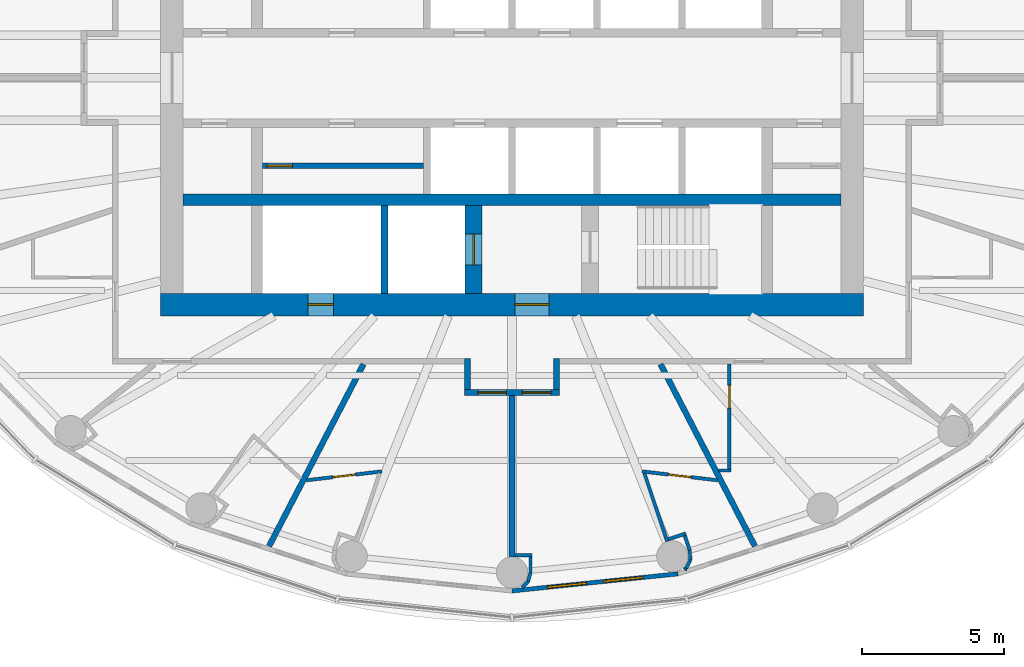
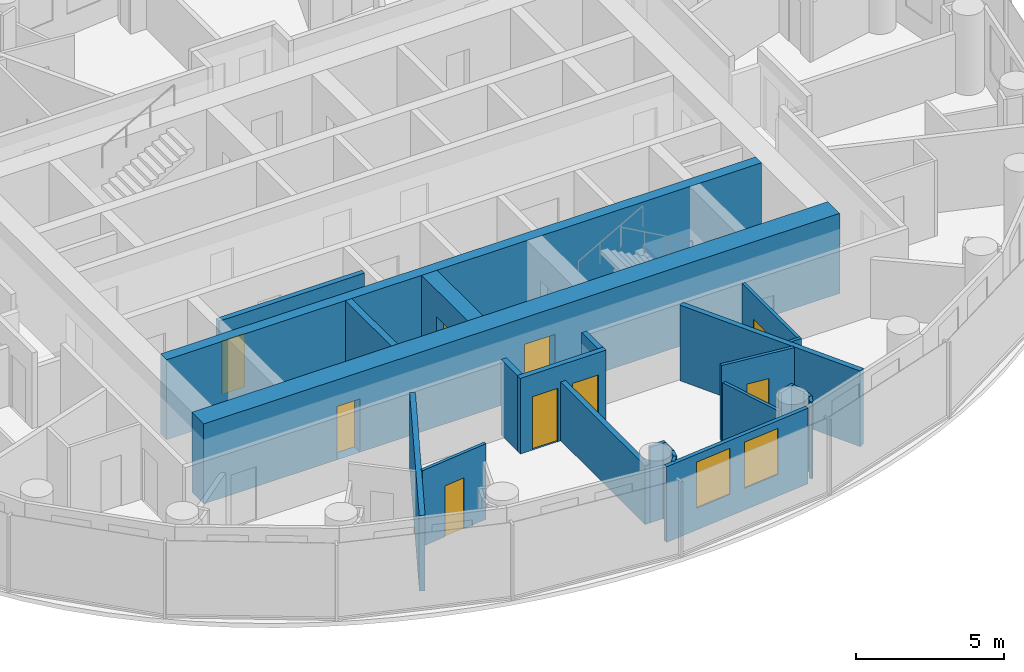
# One storey, part 7 of 16: 26 walls, 9 doors, 2 windows, 11 openings.
"""IFC4 building model written with IfcOpenShell, lengths in metres."""

from ifc_helpers import new_model, si_unit, direction, frame, frame_2d, origin, place, context, subcontext, project, spatial, rectangle, extrude, material, layer, layer_set, type_object, element, fill, save


model = new_model("IFC4")

# Units and contexts
model_context = context("Model", 3, precision=1e-05, world=origin(), true_north=direction((0.0, 1.0)))
body_context = subcontext(model_context, "Body", "Model", "MODEL_VIEW")
ifc_project = project(units=[si_unit("LENGTHUNIT", "METRE"), si_unit("AREAUNIT", "SQUARE_METRE"), si_unit("VOLUMEUNIT", "CUBIC_METRE"), si_unit("PLANEANGLEUNIT", "RADIAN"), si_unit("MASSUNIT", "GRAM", prefix="KILO")], contexts=[model_context])

# Site, building, storey
site_placement = place(None, origin())
site = spatial("IfcSite", under=ifc_project, at=site_placement, CompositionType="ELEMENT")
building_placement = place(site_placement, origin())
building = spatial("IfcBuilding", under=site, at=building_placement, Name="Hankou Lantern Tower", CompositionType="ELEMENT")
storey_placement = place(building_placement, frame((0.0, 0.0, 153.300048828125)))
storey = spatial("IfcBuildingStorey", under=building, at=storey_placement, Name="L40", CompositionType="ELEMENT", Elevation=153.300048828125)

# Wall, openings, doors
ifc_material_1 = material(Name="Concrete C60", Category="concrete")
ifc_layer_1 = layer(ifc_material_1, 0.800048828125)
ifc_layer_set_1 = layer_set([ifc_layer_1], Name="Concrete C60")
wall_type_1 = type_object("IfcWallType", Name="CW2 CORE WALL 800", PredefinedType="SHEAR", material=ifc_layer_set_1)
wall_1_placement = place(storey_placement, frame((12.39990234375, -8.0, 0.0), z_axis=(0.0, 0.0, 1.0), x_axis=(-1.0, 0.0, 0.0)))
wall_1 = element("IfcWall", 1, at=wall_1_placement, inside=storey, type_object=wall_type_1, Name="Core wall south L40", PredefinedType="SHEAR", context=body_context, shape_type="SweptSolid", body=[
    extrude(rectangle(XDim=24.7998046875, YDim=0.800048828125, at=frame_2d((12.39990234375, 0.0))), origin(), (0.0, 0.0, 1.0), 3.300048828125),
])
opening_1_placement = place(wall_1_placement, frame((11.10009765625, 0.0, 0.0)))
opening_1 = element("IfcOpeningElement", 2, at=opening_1_placement, cuts=wall_1, Name="Opening D5", PredefinedType="OPENING", context=body_context, shape_type="SweptSolid", body=[
    extrude(rectangle(XDim=1.199951171875, YDim=2.199951171875, at=frame_2d((0.60009765625, 1.10009765625))), frame((0.0, 0.409912109375, 0.0), z_axis=(0.0, -1.0, 0.0), x_axis=(1.0, 0.0, 0.0)), (0.0, 0.0, 1.0), 0.820068359375),
])
opening_2_placement = place(wall_1_placement, frame((18.699951171875, 0.0, 0.0)))
opening_2 = element("IfcOpeningElement", 3, at=opening_2_placement, cuts=wall_1, Name="Opening D7", PredefinedType="OPENING", context=body_context, shape_type="SweptSolid", body=[
    extrude(rectangle(XDim=0.89990234375, YDim=2.199951171875, at=frame_2d((0.449951171875, 1.10009765625))), frame((0.0, 0.409912109375, 0.0), z_axis=(0.0, -1.0, 0.0), x_axis=(1.0, 0.0, 0.0)), (0.0, 0.0, 1.0), 0.820068359375),
])
ifc_material_2 = material(Name="Steel door leaf", Category="steel")
door_type_1 = type_object("IfcDoorType", Name="D5 STAIR LOBBY DOOR 1200X2200", OperationType="SINGLE_SWING_LEFT", PredefinedType="DOOR", material=ifc_material_2)
door_1_placement = place(opening_1_placement, origin())
door_1 = element("IfcDoor", 4, at=door_1_placement, inside=storey, type_object=door_type_1, Name="Stair B lobby door", OperationType="SINGLE_SWING_LEFT", OverallHeight=2.199951171875, OverallWidth=1.199951171875, PredefinedType="DOOR", context=body_context, shape_type="SweptSolid", body=[
    extrude(rectangle(XDim=1.199951171875, YDim=2.199951171875, at=frame_2d((0.60009765625, 1.10009765625))), frame((0.0, 0.02490234375, 0.0), z_axis=(0.0, -1.0, 0.0), x_axis=(1.0, 0.0, 0.0)), (0.0, 0.0, 1.0), 0.050048828125),
])
fill(opening_1, door_1)
ifc_material_3 = material(Name="Steel door leaf", Category="steel")
door_type_2 = type_object("IfcDoorType", Name="D7 RISER DOOR 900X2200", OperationType="SINGLE_SWING_LEFT", PredefinedType="DOOR", material=ifc_material_3)
door_2_placement = place(opening_2_placement, origin())
door_2 = element("IfcDoor", 5, at=door_2_placement, inside=storey, type_object=door_type_2, Name="Riser S1 door", OperationType="SINGLE_SWING_RIGHT", OverallHeight=2.199951171875, OverallWidth=0.89990234375, PredefinedType="DOOR", context=body_context, shape_type="SweptSolid", body=[
    extrude(rectangle(XDim=0.89990234375, YDim=2.199951171875, at=frame_2d((0.449951171875, 1.10009765625))), frame((0.0, 0.02490234375, 0.0), z_axis=(0.0, -1.0, 0.0), x_axis=(1.0, 0.0, 0.0)), (0.0, 0.0, 1.0), 0.050048828125),
])
fill(opening_2, door_2)

# Wall
ifc_material_4 = material(Name="Concrete C60", Category="concrete")
ifc_layer_2 = layer(ifc_material_4, 0.39990234375)
ifc_layer_set_2 = layer_set([ifc_layer_2], Name="Concrete C60")
wall_type_2 = type_object("IfcWallType", Name="CW4 CORE CROSS WALL 400", PredefinedType="SHEAR", material=ifc_layer_set_2)
wall_2_placement = place(storey_placement, frame((-11.60009765625, -4.300048828125, 0.0), z_axis=(0.0, 0.0, 1.0), x_axis=(1.0, 0.0, 0.0)))
element("IfcWall", 6, at=wall_2_placement, inside=storey, type_object=wall_type_2, Name="Core band wall south L40", PredefinedType="SHEAR", context=body_context, shape_type="SweptSolid", body=[
    extrude(rectangle(XDim=23.2001953125, YDim=0.39990234375, at=frame_2d((11.60009765625, 0.0))), origin(), (0.0, 0.0, 1.0), 3.300048828125),
])

# Wall, opening, door
ifc_material_5 = material(Name="Concrete C60", Category="concrete")
ifc_layer_3 = layer(ifc_material_5, 0.60009765625)
ifc_layer_set_3 = layer_set([ifc_layer_3], Name="Concrete C60")
wall_type_3 = type_object("IfcWallType", Name="CW6 STAIR AND SHAFT WALL 600", PredefinedType="SHEAR", material=ifc_layer_set_3)
wall_3_placement = place(storey_placement, frame((-1.35009765625, -7.60009765625, 0.0), z_axis=(0.0, 0.0, 1.0), x_axis=(0.0, 1.0, 0.0)))
wall_3 = element("IfcWall", 7, at=wall_3_placement, inside=storey, type_object=wall_type_3, Name="Firefighting lift shaft wall L40", PredefinedType="SHEAR", context=body_context, shape_type="SweptSolid", body=[
    extrude(rectangle(XDim=3.10009765625, YDim=0.60009765625, at=frame_2d((1.550048828125, 0.0))), origin(), (0.0, 0.0, 1.0), 3.300048828125),
])
opening_3_placement = place(wall_3_placement, frame((1.0, 0.0, 0.0)))
opening_3 = element("IfcOpeningElement", 8, at=opening_3_placement, cuts=wall_3, Name="Opening LD2", PredefinedType="OPENING", context=body_context, shape_type="SweptSolid", body=[
    extrude(rectangle(XDim=1.10009765625, YDim=2.199951171875, at=frame_2d((0.550048828125, 1.10009765625))), frame((0.0, 0.31005859375, 0.0), z_axis=(0.0, -1.0, 0.0), x_axis=(1.0, 0.0, 0.0)), (0.0, 0.0, 1.0), 0.6201171875),
])
ifc_material_6 = material(Name="Steel door leaf", Category="steel")
door_type_3 = type_object("IfcDoorType", Name="LD2 FIREFIGHTING LIFT LANDING DOOR 1100X2200", OperationType="DOUBLE_DOOR_SLIDING", PredefinedType="DOOR", material=ifc_material_6)
door_3_placement = place(opening_3_placement, origin())
door_3 = element("IfcDoor", 9, at=door_3_placement, inside=storey, type_object=door_type_3, Name="Firefighting lift FL2 landing door", OperationType="DOUBLE_DOOR_SLIDING", OverallHeight=2.199951171875, OverallWidth=1.10009765625, PredefinedType="DOOR", context=body_context, shape_type="SweptSolid", body=[
    extrude(rectangle(XDim=1.10009765625, YDim=2.199951171875, at=frame_2d((0.550048828125, 1.10009765625))), frame((0.0, 0.02490234375, 0.0), z_axis=(0.0, -1.0, 0.0), x_axis=(1.0, 0.0, 0.0)), (0.0, 0.0, 1.0), 0.050048828125),
])
fill(opening_3, door_3)

# Wall, openings, windows
ifc_material_7 = material(Name="Aluminium spandrel panel on steel studs", Category="steel")
ifc_layer_4 = layer(ifc_material_7, 0.14990234375)
ifc_layer_set_4 = layer_set([ifc_layer_4], Name="Aluminium spandrel panel on steel studs")
wall_type_4 = type_object("IfcWallType", Name="EW1 INNER SKIN WALL 150", PredefinedType="ELEMENTEDWALL", material=ifc_layer_set_4)
wall_4_placement = place(storey_placement, frame((0.0, -18.10009765625, 0.0), z_axis=(0.0, 0.0, 1.0), x_axis=(0.994751738032, 0.102318032045, 0.0)))
wall_4 = element("IfcWall", 10, at=wall_4_placement, inside=storey, type_object=wall_type_4, Name="Inner skin R19-R20 L40", PredefinedType="ELEMENTEDWALL", context=body_context, shape_type="SweptSolid", body=[
    extrude(rectangle(XDim=5.891357421875, YDim=0.14990234375, at=frame_2d((2.94580078125, 0.0))), origin(), (0.0, 0.0, 1.0), 3.119873046875),
])
opening_4_placement = place(wall_4_placement, frame((1.24560546875, 0.0, 0.89990234375)))
opening_4 = element("IfcOpeningElement", 11, at=opening_4_placement, cuts=wall_4, Name="Opening W3", PredefinedType="OPENING", context=body_context, shape_type="SweptSolid", body=[
    extrude(rectangle(XDim=1.39990234375, YDim=1.89990234375, at=frame_2d((0.699951171875, 0.949951171875))), frame((0.0, 0.0849609375, 0.0), z_axis=(0.0, -1.0, 0.0), x_axis=(1.0, 0.0, 0.0)), (0.0, 0.0, 1.0), 0.169921875),
])
opening_5_placement = place(wall_4_placement, frame((3.24560546875, 0.0, 0.89990234375)))
opening_5 = element("IfcOpeningElement", 12, at=opening_5_placement, cuts=wall_4, Name="Opening W3", PredefinedType="OPENING", context=body_context, shape_type="SweptSolid", body=[
    extrude(rectangle(XDim=1.39990234375, YDim=1.89990234375, at=frame_2d((0.699951171875, 0.949951171875))), frame((0.0, 0.0849609375, 0.0), z_axis=(0.0, -1.0, 0.0), x_axis=(1.0, 0.0, 0.0)), (0.0, 0.0, 1.0), 0.169921875),
])
ifc_material_8 = material(Name="Aluminium framed double glazed window", Category="aluminium")
window_type = type_object("IfcWindowType", Name="W3 GUEST ROOM WINDOW 1400X1900", PartitioningType="DOUBLE_PANEL_VERTICAL", PredefinedType="WINDOW", material=ifc_material_8)
window_1_placement = place(opening_4_placement, origin())
window_1 = element("IfcWindow", 13, at=window_1_placement, inside=storey, type_object=window_type, Name="Window R19.1 L40", OverallHeight=1.89990234375, OverallWidth=1.39990234375, PartitioningType="SINGLE_PANEL", PredefinedType="WINDOW", context=body_context, shape_type="SweptSolid", body=[
    extrude(rectangle(XDim=1.39990234375, YDim=1.89990234375, at=frame_2d((0.699951171875, 0.949951171875))), frame((0.0, 0.030029296875, 0.0), z_axis=(0.0, -1.0, 0.0), x_axis=(1.0, 0.0, 0.0)), (0.0, 0.0, 1.0), 0.06005859375),
])
fill(opening_4, window_1)
window_2_placement = place(opening_5_placement, origin())
window_2 = element("IfcWindow", 14, at=window_2_placement, inside=storey, type_object=window_type, Name="Window R19.2 L40", OverallHeight=1.89990234375, OverallWidth=1.39990234375, PartitioningType="SINGLE_PANEL", PredefinedType="WINDOW", context=body_context, shape_type="SweptSolid", body=[
    extrude(rectangle(XDim=1.39990234375, YDim=1.89990234375, at=frame_2d((0.699951171875, 0.949951171875))), frame((0.0, 0.030029296875, 0.0), z_axis=(0.0, -1.0, 0.0), x_axis=(1.0, 0.0, 0.0)), (0.0, 0.0, 1.0), 0.06005859375),
])
fill(opening_5, window_2)

# Walls
ifc_material_9 = material(Name="Masonry lightweight concrete block", Category="masonry")
ifc_layer_5 = layer(ifc_material_9, 0.199951171875)
ifc_layer_set_5 = layer_set([ifc_layer_5], Name="Masonry lightweight concrete block")
wall_type_5 = type_object("IfcWallType", Name="IW1 GUEST ROOM PARTY WALL 200", PredefinedType="PARTITIONING", material=ifc_layer_set_5)
wall_5_placement = place(storey_placement, frame((-5.239990234375, -10.10009765625, 0.0), z_axis=(0.0, 0.0, 1.0), x_axis=(-0.460532965373, -0.887642601391, 0.0)))
element("IfcWall", 15, at=wall_5_placement, inside=storey, type_object=wall_type_5, Name="Party wall R17-R18", PredefinedType="PARTITIONING", context=body_context, shape_type="SweptSolid", body=[
    extrude(rectangle(XDim=7.2314453125, YDim=0.199951171875, at=frame_2d((3.61572265625, 0.0))), origin(), (0.0, 0.0, 1.0), 3.119873046875),
])
wall_6_placement = place(storey_placement, frame((0.0, -11.199951171875, 0.0), z_axis=(0.0, 0.0, 1.0), x_axis=(0.0, -1.0, 0.0)))
element("IfcWall", 16, at=wall_6_placement, inside=storey, type_object=wall_type_5, Name="Party wall R19", PredefinedType="PARTITIONING", context=body_context, shape_type="SweptSolid", body=[
    extrude(rectangle(XDim=5.699951171875, YDim=0.199951171875, at=frame_2d((2.85009765625, 0.0))), origin(), (0.0, 0.0, 1.0), 2.419921875),
])
wall_7_placement = place(storey_placement, frame((5.239990234375, -10.10009765625, 0.0), z_axis=(0.0, 0.0, 1.0), x_axis=(0.460532965373, -0.887642601391, 0.0)))
element("IfcWall", 17, at=wall_7_placement, inside=storey, type_object=wall_type_5, Name="Party wall R20-R21", PredefinedType="PARTITIONING", context=body_context, shape_type="SweptSolid", body=[
    extrude(rectangle(XDim=7.2314453125, YDim=0.199951171875, at=frame_2d((3.61572265625, 0.0))), origin(), (0.0, 0.0, 1.0), 3.119873046875),
])

# Wall, openings, doors
ifc_material_10 = material(Name="Masonry lightweight concrete block", Category="masonry")
ifc_layer_6 = layer(ifc_material_10, 0.199951171875)
ifc_layer_set_6 = layer_set([ifc_layer_6], Name="Masonry lightweight concrete block")
wall_type_6 = type_object("IfcWallType", Name="IW2 CORRIDOR WALL 200", PredefinedType="PARTITIONING", material=ifc_layer_set_6)
wall_8_placement = place(storey_placement, frame((1.669921875, -11.10009765625, 0.0), z_axis=(0.0, 0.0, 1.0), x_axis=(-1.0, 0.0, 0.0)))
wall_8 = element("IfcWall", 18, at=wall_8_placement, inside=storey, type_object=wall_type_6, Name="Corridor alcove wall 4011-4012 back", PredefinedType="PARTITIONING", context=body_context, shape_type="SweptSolid", body=[
    extrude(rectangle(XDim=3.33984375, YDim=0.199951171875, at=frame_2d((1.669921875, 0.0))), origin(), (0.0, 0.0, 1.0), 3.119873046875),
])
opening_6_placement = place(wall_8_placement, frame((1.8701171875, 0.0, 0.0)))
opening_6 = element("IfcOpeningElement", 19, at=opening_6_placement, cuts=wall_8, Name="Opening D1", PredefinedType="OPENING", context=body_context, shape_type="SweptSolid", body=[
    extrude(rectangle(XDim=1.0, YDim=2.199951171875, at=frame_2d((0.5, 1.10009765625))), frame((0.0, 0.10986328125, 0.0), z_axis=(0.0, -1.0, 0.0), x_axis=(1.0, 0.0, 0.0)), (0.0, 0.0, 1.0), 0.219970703125),
])
opening_7_placement = place(wall_8_placement, frame((0.300048828125, 0.0, 0.0)))
opening_7 = element("IfcOpeningElement", 20, at=opening_7_placement, cuts=wall_8, Name="Opening D1", PredefinedType="OPENING", context=body_context, shape_type="SweptSolid", body=[
    extrude(rectangle(XDim=1.0, YDim=2.199951171875, at=frame_2d((0.5, 1.10009765625))), frame((0.0, 0.10986328125, 0.0), z_axis=(0.0, -1.0, 0.0), x_axis=(1.0, 0.0, 0.0)), (0.0, 0.0, 1.0), 0.219970703125),
])
ifc_material_11 = material(Name="Steel door leaf", Category="steel")
door_type_4 = type_object("IfcDoorType", Name="D1 GUEST ROOM DOOR 1000X2200", OperationType="SINGLE_SWING_LEFT", PredefinedType="DOOR", material=ifc_material_11)
door_4_placement = place(opening_6_placement, origin())
door_4 = element("IfcDoor", 21, at=door_4_placement, inside=storey, type_object=door_type_4, Name="Guest room door 4011", OperationType="SINGLE_SWING_LEFT", OverallHeight=2.199951171875, OverallWidth=1.0, PredefinedType="DOOR", context=body_context, shape_type="SweptSolid", body=[
    extrude(rectangle(XDim=1.0, YDim=2.199951171875, at=frame_2d((0.5, 1.10009765625))), frame((0.0, 0.02490234375, 0.0), z_axis=(0.0, -1.0, 0.0), x_axis=(1.0, 0.0, 0.0)), (0.0, 0.0, 1.0), 0.050048828125),
])
fill(opening_6, door_4)
door_5_placement = place(opening_7_placement, origin())
door_5 = element("IfcDoor", 22, at=door_5_placement, inside=storey, type_object=door_type_4, Name="Guest room door 4012", OperationType="SINGLE_SWING_RIGHT", OverallHeight=2.199951171875, OverallWidth=1.0, PredefinedType="DOOR", context=body_context, shape_type="SweptSolid", body=[
    extrude(rectangle(XDim=1.0, YDim=2.199951171875, at=frame_2d((0.5, 1.10009765625))), frame((0.0, 0.02490234375, 0.0), z_axis=(0.0, -1.0, 0.0), x_axis=(1.0, 0.0, 0.0)), (0.0, 0.0, 1.0), 0.050048828125),
])
fill(opening_7, door_5)

# Walls
for number, where, z_axis, x_axis, name in (
    (23, (1.570068359375, -9.89990234375, 0.0), (0.0, 0.0, 1.0), (0.0, -1.0, 0.0), "Corridor alcove wall 4011-4012 left"),
    (24, (-1.570068359375, -9.89990234375, 0.0), (0.0, 0.0, 1.0), (0.0, -1.0, 0.0), "Corridor alcove wall 4011-4012 right"),
):
    element("IfcWall", number, at=place(storey_placement, frame(where, z_axis=z_axis, x_axis=x_axis)), inside=storey, type_object=wall_type_6, Name=name, PredefinedType="PARTITIONING", context=body_context, shape_type="SweptSolid", body=[
        extrude(rectangle(XDim=1.10009765625, YDim=0.199951171875, at=frame_2d((0.550048828125, 0.0))), origin(), (0.0, 0.0, 1.0), 3.119873046875),
    ])

# Wall, opening, door
ifc_material_12 = material(Name="Masonry lightweight concrete block", Category="masonry")
ifc_layer_7 = layer(ifc_material_12, 0.1201171875)
ifc_layer_set_7 = layer_set([ifc_layer_7], Name="Masonry lightweight concrete block")
wall_type_7 = type_object("IfcWallType", Name="IW3 BATHROOM WALL 120", PredefinedType="PARTITIONING", material=ifc_layer_set_7)
wall_9_placement = place(storey_placement, frame((-7.2529296875, -14.197021484375, 0.0), z_axis=(0.0, 0.0, 1.0), x_axis=(0.993128188393, 0.117031625725, 0.0)))
wall_9 = element("IfcWall", 25, at=wall_9_placement, inside=storey, type_object=wall_type_7, Name="Box wall 4011 1", PredefinedType="PARTITIONING", context=body_context, shape_type="SweptSolid", body=[
    extrude(rectangle(XDim=2.678466796875, YDim=0.1201171875, at=frame_2d((1.33935546875, 0.0))), origin(), (0.0, 0.0, 1.0), 3.119873046875),
])
opening_8_placement = place(wall_9_placement, frame((0.939208984375, 0.0, 0.0)))
opening_8 = element("IfcOpeningElement", 26, at=opening_8_placement, cuts=wall_9, Name="Opening D3", PredefinedType="OPENING", context=body_context, shape_type="SweptSolid", body=[
    extrude(rectangle(XDim=0.800048828125, YDim=2.10009765625, at=frame_2d((0.39990234375, 1.050048828125))), frame((0.0, 0.070068359375, 0.0), z_axis=(0.0, -1.0, 0.0), x_axis=(1.0, 0.0, 0.0)), (0.0, 0.0, 1.0), 0.14013671875),
])
ifc_material_13 = material(Name="Timber door leaf", Category="wood")
door_type_5 = type_object("IfcDoorType", Name="D3 BATHROOM DOOR 800X2100", OperationType="SINGLE_SWING_LEFT", PredefinedType="DOOR", material=ifc_material_13)
door_6_placement = place(opening_8_placement, origin())
door_6 = element("IfcDoor", 27, at=door_6_placement, inside=storey, type_object=door_type_5, Name="En-suite bathroom 4011 door", OperationType="SINGLE_SWING_LEFT", OverallHeight=2.10009765625, OverallWidth=0.800048828125, PredefinedType="DOOR", context=body_context, shape_type="SweptSolid", body=[
    extrude(rectangle(XDim=0.800048828125, YDim=2.10009765625, at=frame_2d((0.39990234375, 1.050048828125))), frame((0.0, 0.02490234375, 0.0), z_axis=(0.0, -1.0, 0.0), x_axis=(1.0, 0.0, 0.0)), (0.0, 0.0, 1.0), 0.050048828125),
])
fill(opening_8, door_6)

wall_10_placement = place(storey_placement, frame((7.2529296875, -14.197021484375, 0.0), z_axis=(0.0, 0.0, 1.0), x_axis=(-0.993128188393, 0.117031625725, 0.0)))
wall_10 = element("IfcWall", 28, at=wall_10_placement, inside=storey, type_object=wall_type_7, Name="Box wall 4012 1", PredefinedType="PARTITIONING", context=body_context, shape_type="SweptSolid", body=[
    extrude(rectangle(XDim=2.678466796875, YDim=0.1201171875, at=frame_2d((1.33935546875, 0.0))), origin(), (0.0, 0.0, 1.0), 3.119873046875),
])
opening_9_placement = place(wall_10_placement, frame((0.939208984375, 0.0, 0.0)))
opening_9 = element("IfcOpeningElement", 29, at=opening_9_placement, cuts=wall_10, Name="Opening D3", PredefinedType="OPENING", context=body_context, shape_type="SweptSolid", body=[
    extrude(rectangle(XDim=0.800048828125, YDim=2.10009765625, at=frame_2d((0.39990234375, 1.050048828125))), frame((0.0, 0.070068359375, 0.0), z_axis=(0.0, -1.0, 0.0), x_axis=(1.0, 0.0, 0.0)), (0.0, 0.0, 1.0), 0.14013671875),
])
door_7_placement = place(opening_9_placement, origin())
door_7 = element("IfcDoor", 30, at=door_7_placement, inside=storey, type_object=door_type_5, Name="En-suite bathroom 4012 door", OperationType="SINGLE_SWING_RIGHT", OverallHeight=2.10009765625, OverallWidth=0.800048828125, PredefinedType="DOOR", context=body_context, shape_type="SweptSolid", body=[
    extrude(rectangle(XDim=0.800048828125, YDim=2.10009765625, at=frame_2d((0.39990234375, 1.050048828125))), frame((0.0, 0.02490234375, 0.0), z_axis=(0.0, -1.0, 0.0), x_axis=(1.0, 0.0, 0.0)), (0.0, 0.0, 1.0), 0.050048828125),
])
fill(opening_9, door_7)

# Walls
wall_11_placement = place(storey_placement, frame((4.67138671875, -13.947509765625, 0.0), z_axis=(0.0, 0.0, 1.0), x_axis=(0.317669167093, -0.948201613729, 0.0)))
element("IfcWall", 31, at=wall_11_placement, inside=storey, type_object=wall_type_7, Name="Box wall 4012 2", PredefinedType="PARTITIONING", context=body_context, shape_type="SweptSolid", body=[
    extrude(rectangle(XDim=2.5400390625, YDim=0.1201171875, at=frame_2d((1.27001953125, 0.0))), origin(), (0.0, 0.0, 1.0), 2.419921875),
])
wall_12_placement = place(storey_placement, frame((5.51611328125, -16.280029296875, 0.0), z_axis=(0.0, 0.0, 1.0), x_axis=(0.948157944392, 0.317799484717, 0.0)))
element("IfcWall", 32, at=wall_12_placement, inside=storey, type_object=wall_type_7, Name="Column casing 4012 return", PredefinedType="PARTITIONING", context=body_context, shape_type="SweptSolid", body=[
    extrude(rectangle(XDim=0.652099609375, YDim=0.1201171875, at=frame_2d((0.326171875, 0.0))), origin(), (0.0, 0.0, 1.0), 3.119873046875),
])
wall_13_placement = place(storey_placement, frame((6.0966796875, -16.148681640625, 0.0), z_axis=(0.0, 0.0, 1.0), x_axis=(0.317292604854, -0.948327687514, 0.0)))
element("IfcWall", 33, at=wall_13_placement, inside=storey, type_object=wall_type_7, Name="Column casing 4012", PredefinedType="PARTITIONING", context=body_context, shape_type="SweptSolid", body=[
    extrude(rectangle(XDim=0.550048828125, YDim=0.1201171875, at=frame_2d((0.27490234375, 0.0))), origin(), (0.0, 0.0, 1.0), 3.119873046875),
])
for number, where, z_axis, x_axis, name in (
    (34, (6.271240234375, -16.67041015625, 0.0), (0.0, 0.0, 1.0), (0.061477694849, -0.998108457552, 0.0), "Column casing 4012"),
    (35, (6.2919921875, -17.00732421875, 0.0), (0.0, 0.0, 1.0), (-0.445477128334, -0.895293319606, 0.0), "Column casing 4012"),
):
    element("IfcWall", number, at=place(storey_placement, frame(where, z_axis=z_axis, x_axis=x_axis)), inside=storey, type_object=wall_type_7, Name=name, PredefinedType="PARTITIONING", context=body_context, shape_type="SweptSolid", body=[
        extrude(rectangle(XDim=0.337646484375, YDim=0.1201171875, at=frame_2d((0.1689453125, 0.0))), origin(), (0.0, 0.0, 1.0), 3.119873046875),
    ])
wall_14_placement = place(storey_placement, frame((6.1416015625, -17.3095703125, 0.0), z_axis=(0.0, 0.0, 1.0), x_axis=(-0.835039693181, -0.550189704386, 0.0)))
element("IfcWall", 36, at=wall_14_placement, inside=storey, type_object=wall_type_7, Name="Column casing 4012", PredefinedType="PARTITIONING", context=body_context, shape_type="SweptSolid", body=[
    extrude(rectangle(XDim=0.0625, YDim=0.1201171875, at=frame_2d((0.03125, 0.0))), origin(), (0.0, 0.0, 1.0), 3.119873046875),
])
wall_15_placement = place(storey_placement, frame((7.28564453125, -13.85009765625, 0.0), z_axis=(0.0, 0.0, 1.0), x_axis=(1.0, 0.0, 0.0)))
element("IfcWall", 37, at=wall_15_placement, inside=storey, type_object=wall_type_7, Name="Box wall 4013 1", PredefinedType="PARTITIONING", context=body_context, shape_type="SweptSolid", body=[
    extrude(rectangle(XDim=0.4443359375, YDim=0.1201171875, at=frame_2d((0.22216796875, 0.0))), origin(), (0.0, 0.0, 1.0), 3.119873046875),
])

# Wall, opening, door
wall_16_placement = place(storey_placement, frame((7.670166015625, -10.10009765625, 0.0), z_axis=(0.0, 0.0, 1.0), x_axis=(0.0, -1.0, 0.0)))
wall_16 = element("IfcWall", 38, at=wall_16_placement, inside=storey, type_object=wall_type_7, Name="Box wall 4013 1", PredefinedType="PARTITIONING", context=body_context, shape_type="SweptSolid", body=[
    extrude(rectangle(XDim=3.68994140625, YDim=0.1201171875, at=frame_2d((1.844970703125, 0.0))), origin(), (0.0, 0.0, 1.0), 3.119873046875),
])
opening_10_placement = place(wall_16_placement, frame((0.75, 0.0, 0.0)))
opening_10 = element("IfcOpeningElement", 39, at=opening_10_placement, cuts=wall_16, Name="Opening D3", PredefinedType="OPENING", context=body_context, shape_type="SweptSolid", body=[
    extrude(rectangle(XDim=0.800048828125, YDim=2.10009765625, at=frame_2d((0.39990234375, 1.050048828125))), frame((0.0, 0.070068359375, 0.0), z_axis=(0.0, -1.0, 0.0), x_axis=(1.0, 0.0, 0.0)), (0.0, 0.0, 1.0), 0.14013671875),
])
door_8_placement = place(opening_10_placement, origin())
door_8 = element("IfcDoor", 40, at=door_8_placement, inside=storey, type_object=door_type_5, Name="En-suite bathroom 4013 door", OperationType="SINGLE_SWING_LEFT", OverallHeight=2.10009765625, OverallWidth=0.800048828125, PredefinedType="DOOR", context=body_context, shape_type="SweptSolid", body=[
    extrude(rectangle(XDim=0.800048828125, YDim=2.10009765625, at=frame_2d((0.39990234375, 1.050048828125))), frame((0.0, 0.02490234375, 0.0), z_axis=(0.0, -1.0, 0.0), x_axis=(1.0, 0.0, 0.0)), (0.0, 0.0, 1.0), 0.050048828125),
])
fill(opening_10, door_8)

# Walls
ifc_material_14 = material(Name="Masonry lightweight concrete block", Category="masonry")
ifc_layer_8 = layer(ifc_material_14, 0.1201171875)
ifc_layer_set_8 = layer_set([ifc_layer_8], Name="Masonry lightweight concrete block")
wall_type_8 = type_object("IfcWallType", Name="IW4 PARTITION 120", PredefinedType="PARTITIONING", material=ifc_layer_set_8)
wall_17_placement = place(storey_placement, frame((0.10009765625, -16.840087890625, 0.0), z_axis=(0.0, 0.0, 1.0), x_axis=(1.0, 0.0, 0.0)))
element("IfcWall", 41, at=wall_17_placement, inside=storey, type_object=wall_type_8, Name="Column casing R19 return", PredefinedType="PARTITIONING", context=body_context, shape_type="SweptSolid", body=[
    extrude(rectangle(XDim=0.612060546875, YDim=0.1201171875, at=frame_2d((0.30615234375, 0.0))), origin(), (0.0, 0.0, 1.0), 3.119873046875),
])
wall_18_placement = place(storey_placement, frame((0.65234375, -16.89990234375, 0.0), z_axis=(0.0, 0.0, 1.0), x_axis=(0.0, -1.0, 0.0)))
element("IfcWall", 42, at=wall_18_placement, inside=storey, type_object=wall_type_8, Name="Column casing R19", PredefinedType="PARTITIONING", context=body_context, shape_type="SweptSolid", body=[
    extrude(rectangle(XDim=0.550048828125, YDim=0.1201171875, at=frame_2d((0.27490234375, 0.0))), origin(), (0.0, 0.0, 1.0), 3.119873046875),
])
wall_19_placement = place(storey_placement, frame((0.65234375, -17.449951171875, 0.0), z_axis=(0.0, 0.0, 1.0), x_axis=(-0.258832454679, -0.965922233104, 0.0)))
element("IfcWall", 43, at=wall_19_placement, inside=storey, type_object=wall_type_8, Name="Column casing R19", PredefinedType="PARTITIONING", context=body_context, shape_type="SweptSolid", body=[
    extrude(rectangle(XDim=0.337646484375, YDim=0.1201171875, at=frame_2d((0.1689453125, 0.0))), origin(), (0.0, 0.0, 1.0), 3.119873046875),
])
wall_20_placement = place(storey_placement, frame((0.56494140625, -17.776123046875, 0.0), z_axis=(0.0, 0.0, 1.0), x_axis=(-0.707106781187, -0.707106781187, 0.0)))
element("IfcWall", 44, at=wall_20_placement, inside=storey, type_object=wall_type_8, Name="Column casing R19", PredefinedType="PARTITIONING", context=body_context, shape_type="SweptSolid", body=[
    extrude(rectangle(XDim=0.30078125, YDim=0.1201171875, at=frame_2d((0.150390625, 0.0))), origin(), (0.0, 0.0, 1.0), 3.119873046875),
])

# Wall, opening, door
ifc_material_15 = material(Name="Masonry lightweight concrete block", Category="masonry")
ifc_layer_9 = layer(ifc_material_15, 0.199951171875)
ifc_layer_set_9 = layer_set([ifc_layer_9], Name="Masonry lightweight concrete block")
wall_type_9 = type_object("IfcWallType", Name="IW8 PARTITION 200", PredefinedType="PARTITIONING", material=ifc_layer_set_9)
wall_21_placement = place(storey_placement, frame((-8.800048828125, -3.10009765625, 0.0), z_axis=(0.0, 0.0, 1.0), x_axis=(1.0, 0.0, 0.0)))
wall_21 = element("IfcWall", 45, at=wall_21_placement, inside=storey, type_object=wall_type_9, Name="Partition engineering store", PredefinedType="PARTITIONING", context=body_context, shape_type="SweptSolid", body=[
    extrude(rectangle(XDim=5.675048828125, YDim=0.199951171875, at=frame_2d((2.83740234375, 0.0))), origin(), (0.0, 0.0, 1.0), 3.119873046875),
])
opening_11_placement = place(wall_21_placement, frame((0.14990234375, 0.0, 0.0)))
opening_11 = element("IfcOpeningElement", 46, at=opening_11_placement, cuts=wall_21, Name="Opening D12", PredefinedType="OPENING", context=body_context, shape_type="SweptSolid", body=[
    extrude(rectangle(XDim=0.89990234375, YDim=2.199951171875, at=frame_2d((0.449951171875, 1.10009765625))), frame((0.0, 0.10986328125, 0.0), z_axis=(0.0, -1.0, 0.0), x_axis=(1.0, 0.0, 0.0)), (0.0, 0.0, 1.0), 0.219970703125),
])
ifc_material_16 = material(Name="Steel door leaf", Category="steel")
door_type_6 = type_object("IfcDoorType", Name="D12 STORE DOOR 900X2200", OperationType="SINGLE_SWING_LEFT", PredefinedType="DOOR", material=ifc_material_16)
door_9_placement = place(opening_11_placement, origin())
door_9 = element("IfcDoor", 47, at=door_9_placement, inside=storey, type_object=door_type_6, Name="Electrical cupboard door", OperationType="SINGLE_SWING_LEFT", OverallHeight=2.199951171875, OverallWidth=0.89990234375, PredefinedType="DOOR", context=body_context, shape_type="SweptSolid", body=[
    extrude(rectangle(XDim=0.89990234375, YDim=2.199951171875, at=frame_2d((0.449951171875, 1.10009765625))), frame((0.0, 0.02490234375, 0.0), z_axis=(0.0, -1.0, 0.0), x_axis=(1.0, 0.0, 0.0)), (0.0, 0.0, 1.0), 0.050048828125),
])
fill(opening_11, door_9)

# Wall
ifc_material_17 = material(Name="Masonry autoclaved aerated concrete block", Category="masonry")
ifc_layer_10 = layer(ifc_material_17, 0.25)
ifc_layer_set_10 = layer_set([ifc_layer_10], Name="Masonry autoclaved aerated concrete block")
wall_type_10 = type_object("IfcWallType", Name="SW1 SHAFT BLOCK WALL 250", PredefinedType="PARTITIONING", material=ifc_layer_set_10)
wall_22_placement = place(storey_placement, frame((-4.5, -7.60009765625, 0.0), z_axis=(0.0, 0.0, 1.0), x_axis=(0.0, 1.0, 0.0)))
element("IfcWall", 48, at=wall_22_placement, inside=storey, type_object=wall_type_10, Name="Riser wall L40", PredefinedType="PARTITIONING", context=body_context, shape_type="SweptSolid", body=[
    extrude(rectangle(XDim=3.10009765625, YDim=0.25, at=frame_2d((1.550048828125, 0.0))), origin(), (0.0, 0.0, 1.0), 3.300048828125),
])

save(model, "model.ifc")
